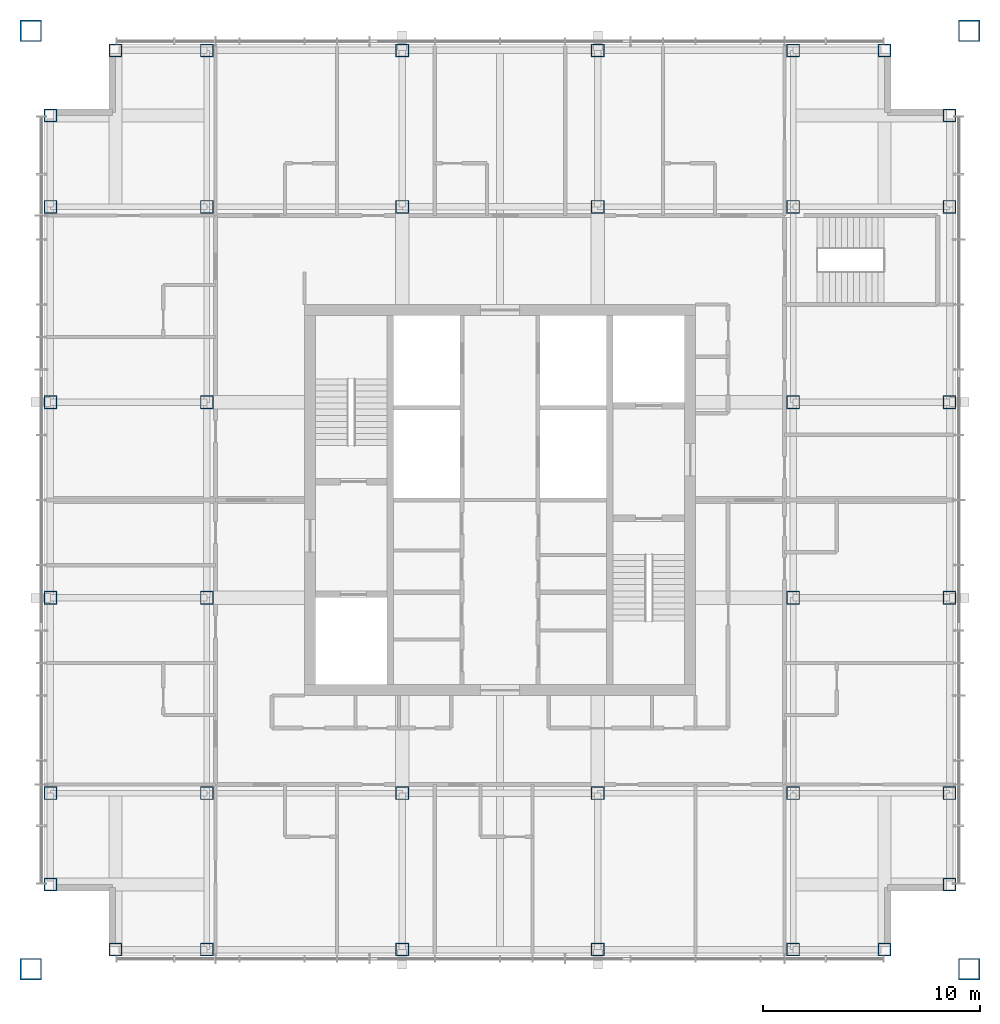
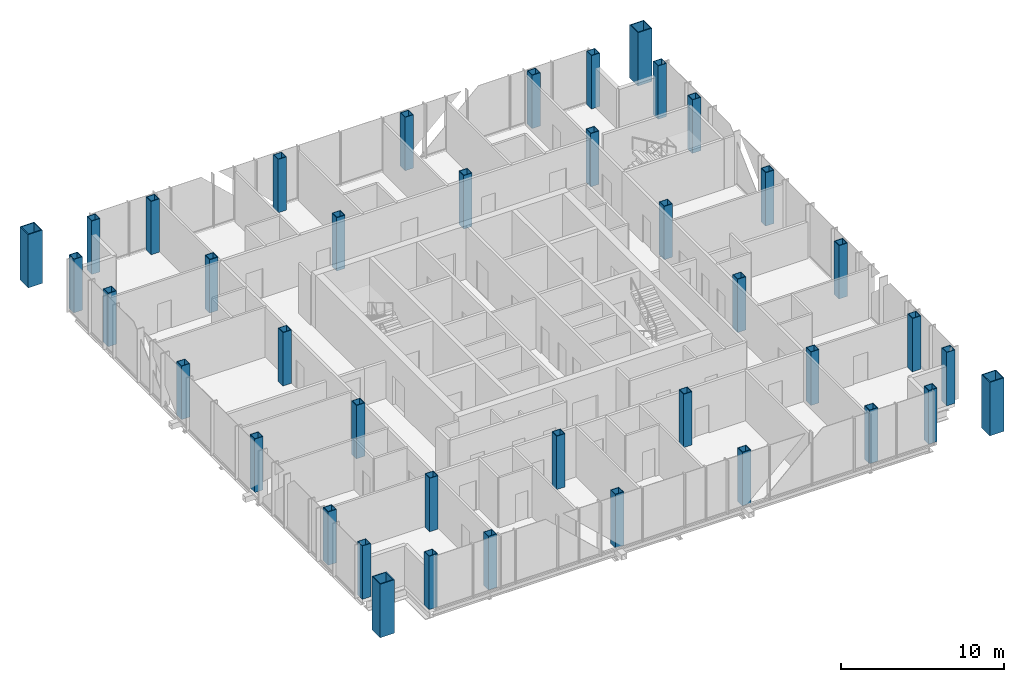
# One storey, part 1 of 13: 40 columns.
"""IFC4 building model written with IfcOpenShell, lengths in metres."""

import ifcopenshell
import ifcopenshell.guid

model = None  # the IFC model being written
_history = None  # IfcOwnerHistory: only IFC2X3 demands one
_inside = {}  # id of a spatial element -> (the spatial element, [elements in it])
_under = {}  # id of a project, library or spatial element -> (it, [spatial elements below it])
_declared = {}  # id of a project -> (the project, [libraries it declares])
_typed = {}  # id of a type object -> (the type object, [elements of that type])
_made_of = {}  # id of a material, layer set ... -> (it, [elements and type objects made of it])


def new_model(schema):
    """Start an empty IFC model of exactly this schema.

    Asked for "IFC4X3", IfcOpenShell would pick the latest addendum, in which some entities
    have other attributes; the version numbers below select the first issue.
    IFC2X3 requires an IfcOwnerHistory on every rooted entity: one is made here for all.
    """
    global model, _history
    if schema == "IFC4X3":
        model = ifcopenshell.file(schema_version=(4, 3, 0, 0))
    else:
        model = ifcopenshell.file(schema=schema)
    _inside.clear()
    _under.clear()
    _declared.clear()
    _typed.clear()
    _made_of.clear()
    _history = None
    if model.schema == "IFC2X3":
        org = make("IfcOrganization", Name="unknown")
        user = make(
            "IfcPersonAndOrganization",
            ThePerson=make("IfcPerson", FamilyName="unknown"),
            TheOrganization=org,
        )
        app = make(
            "IfcApplication",
            ApplicationDeveloper=org,
            Version="unknown",
            ApplicationFullName="unknown",
            ApplicationIdentifier="unknown",
        )
        _history = make(
            "IfcOwnerHistory",
            OwningUser=user,
            OwningApplication=app,
            ChangeAction="ADDED",
            CreationDate=0,
        )
    return model


def make(cls, **values):
    """One entity of the class cls with the attributes given. An attribute that is None is left unset."""
    return model.create_entity(
        cls, **{name: value for name, value in values.items() if value is not None}
    )


def rooted(cls, **values):
    """An entity with a GlobalId (a new one), such as an element, a storey or a relation."""
    return make(cls, GlobalId=ifcopenshell.guid.new(), OwnerHistory=_history, **values)


def si_unit(unit_type, name, prefix=None):
    """IfcSIUnit, for example si_unit("LENGTHUNIT", "METRE", prefix="MILLI")."""
    return make("IfcSIUnit", UnitType=unit_type, Prefix=prefix, Name=name)


def assignment(units):
    """IfcUnitAssignment: the units of a project."""
    return None if units is None else make("IfcUnitAssignment", Units=units)


def point(xyz):
    """IfcCartesianPoint."""
    return None if xyz is None else make("IfcCartesianPoint", Coordinates=xyz)


def direction(xyz):
    """IfcDirection."""
    return None if xyz is None else make("IfcDirection", DirectionRatios=xyz)


def frame(location, z_axis=None, x_axis=None):
    """IfcAxis2Placement3D, a coordinate frame: its origin and axes. An axis left out is left unset."""
    return make(
        "IfcAxis2Placement3D",
        Location=point(location),
        Axis=direction(z_axis),
        RefDirection=direction(x_axis),
    )


def frame_2d(location, x_axis=None):
    """IfcAxis2Placement2D, a coordinate frame in the plane: its origin and x axis."""
    return make(
        "IfcAxis2Placement2D", Location=point(location), RefDirection=direction(x_axis)
    )


def origin():
    """The frame at (0, 0, 0) with its axes left unset."""
    return frame((0.0, 0.0, 0.0))


def origin_2d():
    """The frame at (0, 0) in the plane with its x axis left unset."""
    return frame_2d((0.0, 0.0))


def place(relative_to, where):
    """IfcLocalPlacement: puts the frame where relative to a parent placement (None: the world)."""
    return make(
        "IfcLocalPlacement", PlacementRelTo=relative_to, RelativePlacement=where
    )


def context(
    kind, dimensions, precision=None, world=None, true_north=None, identifier=None
):
    """IfcGeometricRepresentationContext, for example the 3D "Model" context."""
    return make(
        "IfcGeometricRepresentationContext",
        ContextIdentifier=identifier,
        ContextType=kind,
        CoordinateSpaceDimension=dimensions,
        Precision=precision,
        WorldCoordinateSystem=world,
        TrueNorth=true_north,
    )


def subcontext(parent, identifier, kind, view, scale=None):
    """IfcGeometricRepresentationSubContext, for example "Body" below "Model"."""
    return make(
        "IfcGeometricRepresentationSubContext",
        ContextIdentifier=identifier,
        ContextType=kind,
        ParentContext=parent,
        TargetScale=scale,
        TargetView=view,
    )


def project(units=None, contexts=None):
    """IfcProject with its units and contexts."""
    return rooted(
        "IfcProject",
        Name="project",
        RepresentationContexts=contexts,
        UnitsInContext=assignment(units),
    )


def spatial(cls, under=None, at=None, **own):
    """A site, building, storey or space (cls), placed at a placement, below another one or the project."""
    s = rooted(cls, ObjectPlacement=at, **own)
    if under is not None:
        _under.setdefault(under.id(), (under, []))[1].append(s)
    return s


def profile(cls, at=None, kind="AREA", **sizes):
    """A parametric profile (cls). Its sizes go by their IFC names, for example OverallWidth=200.0."""
    return make(cls, ProfileType=kind, Position=at, **sizes)


def hollow_rectangle(**sizes):
    """IfcRectangleHollowProfileDef."""
    return profile("IfcRectangleHollowProfileDef", **sizes)


def extrude(swept, where, along, depth):
    """IfcExtrudedAreaSolid: the profile swept, set in the frame where, extruded along a direction by depth."""
    return make(
        "IfcExtrudedAreaSolid",
        SweptArea=swept,
        Position=where,
        ExtrudedDirection=direction(along),
        Depth=depth,
    )


def shape(context_of_items, identifier, shape_type, items):
    """IfcShapeRepresentation: the items that make up one representation, for example the "Body"."""
    return make(
        "IfcShapeRepresentation",
        ContextOfItems=context_of_items,
        RepresentationIdentifier=identifier,
        RepresentationType=shape_type,
        Items=items,
    )


def material(Name=None, Category=None):
    """IfcMaterial."""
    return make("IfcMaterial", Name=Name, Category=Category)


def material_profile(
    of_material, cross_section, Name=None, Category=None, Priority=None
):
    """IfcMaterialProfile: a cross section and its material."""
    return make(
        "IfcMaterialProfile",
        Name=Name,
        Material=of_material,
        Profile=cross_section,
        Priority=Priority,
        Category=Category,
    )


def profile_set(profiles, Name=None, composite=None):
    """IfcMaterialProfileSet."""
    return make(
        "IfcMaterialProfileSet",
        Name=Name,
        MaterialProfiles=profiles,
        CompositeProfile=composite,
    )


def made_of(thing, what):
    """Note that an element or type object is made of a material, layer set ...; save() writes the relation."""
    if what is not None:
        _made_of.setdefault(what.id(), (what, []))[1].append(thing)
    return thing


def type_object(cls, material=None, **own):
    """A type object (cls), such as IfcWallType, which elements share."""
    return made_of(rooted(cls, **own), material)


def element(
    cls,
    number,
    at=None,
    inside=None,
    cuts=None,
    type_object=None,
    material=None,
    context=None,
    identifier="Body",
    shape_type=None,
    held_by="IfcProductDefinitionShape",
    body=None,
    shapes=None,
    **own,
):
    """One element of the class cls, such as IfcWall. Its Tag is "e" and its number.

    at: its placement. inside: the storey or other place that contains it. cuts: it is an
    opening in that element (IfcRelVoidsElement). A single representation is given by context,
    identifier, shape_type and body (its items); several are given by shapes. held_by: the class
    of the entity that holds the representations. save() writes the other relations.
    """
    e = rooted(cls, Tag="e%d" % number, ObjectPlacement=at, **own)
    if body is not None:
        shapes = [shape(context, identifier, shape_type, body)]
    if shapes is not None:
        e.Representation = make(held_by, Representations=shapes)
    if inside is not None:
        _inside.setdefault(inside.id(), (inside, []))[1].append(e)
    if cuts is not None:
        rooted(
            "IfcRelVoidsElement", RelatingBuildingElement=cuts, RelatedOpeningElement=e
        )
    if type_object is not None:
        _typed.setdefault(type_object.id(), (type_object, []))[1].append(e)
    return made_of(e, material)


def aggregate(whole, parts):
    """IfcRelAggregates: a whole, such as a stair, and the parts it consists of."""
    return rooted("IfcRelAggregates", RelatingObject=whole, RelatedObjects=parts)


def save(model, path):
    """Write the relations noted so far, then the file.

    IfcRelAggregates (storeys below a building ...), IfcRelContainedInSpatialStructure (elements
    in a storey), IfcRelDefinesByType, IfcRelAssociatesMaterial and IfcRelDeclares: one each for
    every whole, place, type object, material and project.
    """
    for whole, parts in _under.values():
        aggregate(whole, parts)
    for where, things in _inside.values():
        rooted(
            "IfcRelContainedInSpatialStructure",
            RelatedElements=things,
            RelatingStructure=where,
        )
    for kind, things in _typed.values():
        rooted("IfcRelDefinesByType", RelatedObjects=things, RelatingType=kind)
    for what, things in _made_of.values():
        rooted("IfcRelAssociatesMaterial", RelatedObjects=things, RelatingMaterial=what)
    for by, libraries in _declared.values():
        rooted("IfcRelDeclares", RelatingContext=by, RelatedDefinitions=libraries)
    model.write(path)


model = new_model("IFC4")

# Units and contexts
model_context = context("Model", 3, precision=1e-05, world=origin(), true_north=direction((0.0, 1.0)))
body_context = subcontext(model_context, "Body", "Model", "MODEL_VIEW")
ifc_project = project(units=[si_unit("LENGTHUNIT", "METRE"), si_unit("AREAUNIT", "SQUARE_METRE"), si_unit("VOLUMEUNIT", "CUBIC_METRE"), si_unit("PLANEANGLEUNIT", "RADIAN"), si_unit("MASSUNIT", "GRAM", prefix="KILO")], contexts=[model_context])

# Site, building, storey
site_placement = place(None, origin())
site = spatial("IfcSite", under=ifc_project, at=site_placement, CompositionType="ELEMENT")
building_placement = place(site_placement, origin())
building = spatial("IfcBuilding", under=site, at=building_placement, Name="Malebo Sky Hospital", CompositionType="ELEMENT")
storey_placement = place(building_placement, frame((0.0, 0.0, 274.0)))
storey = spatial("IfcBuildingStorey", under=building, at=storey_placement, Name="L66", CompositionType="ELEMENT", Elevation=274.0)

# Columns
ifc_material = material(Name="Steel S460", Category="steel")
ifc_material_profile_1 = material_profile(ifc_material, hollow_rectangle(XDim=0.60009765625, YDim=0.60009765625, WallThickness=0.0400390625, at=origin_2d()), Name="BOX 600x600x40")
ifc_profile_set_1 = profile_set([ifc_material_profile_1], Name="Steel S460")
column_type_1 = type_object("IfcColumnType", Name="INNER COLUMN BOX 600x600x40", PredefinedType="COLUMN", material=ifc_profile_set_1)
for number, where, z_axis, x_axis, name in (
    (1, (46.5, 48.5, 0.0), (0.0, 0.0, 1.0), (1.0, 0.0, 0.0), "Column IC4 L66"),
    (2, (73.5, 48.5, 0.0), (0.0, 0.0, 1.0), (1.0, 0.0, 0.0), "Column IC4 L66"),
    (3, (73.5, 75.5, 0.0), (0.0, 0.0, 1.0), (1.0, 0.0, 0.0), "Column IC4 L66"),
    (4, (46.5, 75.5, 0.0), (0.0, 0.0, 1.0), (1.0, 0.0, 0.0), "Column IC4 L66"),
    (5, (55.5, 48.5, 0.0), (0.0, 0.0, 1.0), (1.0, 0.0, 0.0), "Column IC4 L66"),
    (6, (64.5, 48.5, 0.0), (0.0, 0.0, 1.0), (1.0, 0.0, 0.0), "Column IC4 L66"),
    (7, (55.5, 75.5, 0.0), (0.0, 0.0, 1.0), (1.0, 0.0, 0.0), "Column IC4 L66"),
    (8, (64.5, 75.5, 0.0), (0.0, 0.0, 1.0), (1.0, 0.0, 0.0), "Column IC4 L66"),
    (9, (46.5, 57.5, 0.0), (0.0, 0.0, 1.0), (1.0, 0.0, 0.0), "Column IC4 L66"),
    (10, (46.5, 66.5, 0.0), (0.0, 0.0, 1.0), (1.0, 0.0, 0.0), "Column IC4 L66"),
    (11, (73.5, 57.5, 0.0), (0.0, 0.0, 1.0), (1.0, 0.0, 0.0), "Column IC4 L66"),
    (12, (73.5, 66.5, 0.0), (0.0, 0.0, 1.0), (1.0, 0.0, 0.0), "Column IC4 L66"),
):
    element("IfcColumn", number, at=place(storey_placement, frame(where, z_axis=z_axis, x_axis=x_axis)), inside=storey, type_object=column_type_1, Name=name, PredefinedType="COLUMN", context=body_context, shape_type="SweptSolid", body=[
        extrude(hollow_rectangle(XDim=0.60009765625, YDim=0.60009765625, WallThickness=0.0400390625, at=origin_2d()), origin(), (0.0, 0.0, 1.0), 4.0),
    ])
ifc_material_profile_2 = material_profile(ifc_material, hollow_rectangle(XDim=1.0, YDim=1.0, WallThickness=0.06005859375, at=origin_2d()), Name="BOX 1000x1000x60")
ifc_profile_set_2 = profile_set([ifc_material_profile_2], Name="Steel S460")
column_type_2 = type_object("IfcColumnType", Name="MEGA COLUMN BOX 1000x1000x60", PredefinedType="COLUMN", material=ifc_profile_set_2)
for number, where, z_axis, x_axis, name in (
    (13, (38.39990234375, 40.39990234375, 0.0), (0.0, 0.0, 1.0), (1.0, 0.0, 0.0), "Mega column SW L66"),
    (14, (81.60009765625, 40.39990234375, 0.0), (0.0, 0.0, 1.0), (1.0, 0.0, 0.0), "Mega column SE L66"),
    (15, (81.60009765625, 83.60009765625, 0.0), (0.0, 0.0, 1.0), (1.0, 0.0, 0.0), "Mega column NE L66"),
    (16, (38.39990234375, 83.60009765625, 0.0), (0.0, 0.0, 1.0), (1.0, 0.0, 0.0), "Mega column NW L66"),
):
    element("IfcColumn", number, at=place(storey_placement, frame(where, z_axis=z_axis, x_axis=x_axis)), inside=storey, type_object=column_type_2, Name=name, PredefinedType="COLUMN", context=body_context, shape_type="SweptSolid", body=[
        extrude(hollow_rectangle(XDim=1.0, YDim=1.0, WallThickness=0.06005859375, at=origin_2d()), origin(), (0.0, 0.0, 1.0), 4.0),
    ])
ifc_material_profile_3 = material_profile(ifc_material, hollow_rectangle(XDim=0.60009765625, YDim=0.60009765625, WallThickness=0.0400390625, at=origin_2d()), Name="BOX 600x600x40")
ifc_profile_set_3 = profile_set([ifc_material_profile_3], Name="Steel S460")
column_type_3 = type_object("IfcColumnType", Name="PERIMETER COLUMN BOX 600x600x40", PredefinedType="COLUMN", material=ifc_profile_set_3)
for number, where, z_axis, x_axis, name in (
    (17, (42.300048828125, 41.300048828125, 0.0), (0.0, 0.0, 1.0), (1.0, 0.0, 0.0), "Column PC4 L66"),
    (18, (42.300048828125, 82.699951171875, 0.0), (0.0, 0.0, 1.0), (1.0, 0.0, 0.0), "Column PC4 L66"),
    (19, (39.300048828125, 44.300048828125, 0.0), (0.0, 0.0, 1.0), (1.0, 0.0, 0.0), "Column PC4 L66"),
    (20, (80.699951171875, 44.300048828125, 0.0), (0.0, 0.0, 1.0), (1.0, 0.0, 0.0), "Column PC4 L66"),
    (21, (46.5, 41.300048828125, 0.0), (0.0, 0.0, 1.0), (1.0, 0.0, 0.0), "Column PC4 L66"),
    (22, (46.5, 82.699951171875, 0.0), (0.0, 0.0, 1.0), (1.0, 0.0, 0.0), "Column PC4 L66"),
    (23, (39.300048828125, 48.5, 0.0), (0.0, 0.0, 1.0), (1.0, 0.0, 0.0), "Column PC4 L66"),
    (24, (80.699951171875, 48.5, 0.0), (0.0, 0.0, 1.0), (1.0, 0.0, 0.0), "Column PC4 L66"),
    (25, (55.5, 41.300048828125, 0.0), (0.0, 0.0, 1.0), (1.0, 0.0, 0.0), "Column PC4 L66"),
    (26, (55.5, 82.699951171875, 0.0), (0.0, 0.0, 1.0), (1.0, 0.0, 0.0), "Column PC4 L66"),
    (27, (39.300048828125, 57.5, 0.0), (0.0, 0.0, 1.0), (1.0, 0.0, 0.0), "Column PC4 L66"),
    (28, (80.699951171875, 57.5, 0.0), (0.0, 0.0, 1.0), (1.0, 0.0, 0.0), "Column PC4 L66"),
    (29, (64.5, 41.300048828125, 0.0), (0.0, 0.0, 1.0), (1.0, 0.0, 0.0), "Column PC4 L66"),
    (30, (64.5, 82.699951171875, 0.0), (0.0, 0.0, 1.0), (1.0, 0.0, 0.0), "Column PC4 L66"),
    (31, (39.300048828125, 66.5, 0.0), (0.0, 0.0, 1.0), (1.0, 0.0, 0.0), "Column PC4 L66"),
    (32, (80.699951171875, 66.5, 0.0), (0.0, 0.0, 1.0), (1.0, 0.0, 0.0), "Column PC4 L66"),
    (33, (73.5, 41.300048828125, 0.0), (0.0, 0.0, 1.0), (1.0, 0.0, 0.0), "Column PC4 L66"),
    (34, (73.5, 82.699951171875, 0.0), (0.0, 0.0, 1.0), (1.0, 0.0, 0.0), "Column PC4 L66"),
    (35, (39.300048828125, 75.5, 0.0), (0.0, 0.0, 1.0), (1.0, 0.0, 0.0), "Column PC4 L66"),
    (36, (80.699951171875, 75.5, 0.0), (0.0, 0.0, 1.0), (1.0, 0.0, 0.0), "Column PC4 L66"),
    (37, (77.699951171875, 41.300048828125, 0.0), (0.0, 0.0, 1.0), (1.0, 0.0, 0.0), "Column PC4 L66"),
    (38, (77.699951171875, 82.699951171875, 0.0), (0.0, 0.0, 1.0), (1.0, 0.0, 0.0), "Column PC4 L66"),
    (39, (39.300048828125, 79.699951171875, 0.0), (0.0, 0.0, 1.0), (1.0, 0.0, 0.0), "Column PC4 L66"),
    (40, (80.699951171875, 79.699951171875, 0.0), (0.0, 0.0, 1.0), (1.0, 0.0, 0.0), "Column PC4 L66"),
):
    element("IfcColumn", number, at=place(storey_placement, frame(where, z_axis=z_axis, x_axis=x_axis)), inside=storey, type_object=column_type_3, Name=name, PredefinedType="COLUMN", context=body_context, shape_type="SweptSolid", body=[
        extrude(hollow_rectangle(XDim=0.60009765625, YDim=0.60009765625, WallThickness=0.0400390625, at=origin_2d()), origin(), (0.0, 0.0, 1.0), 4.0),
    ])

save(model, "model.ifc")
